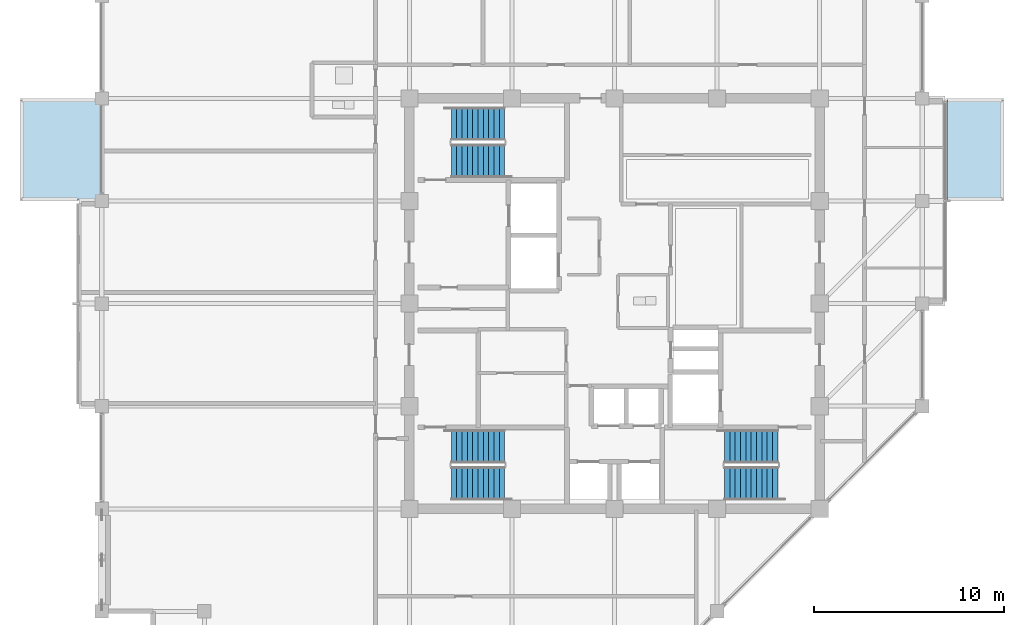
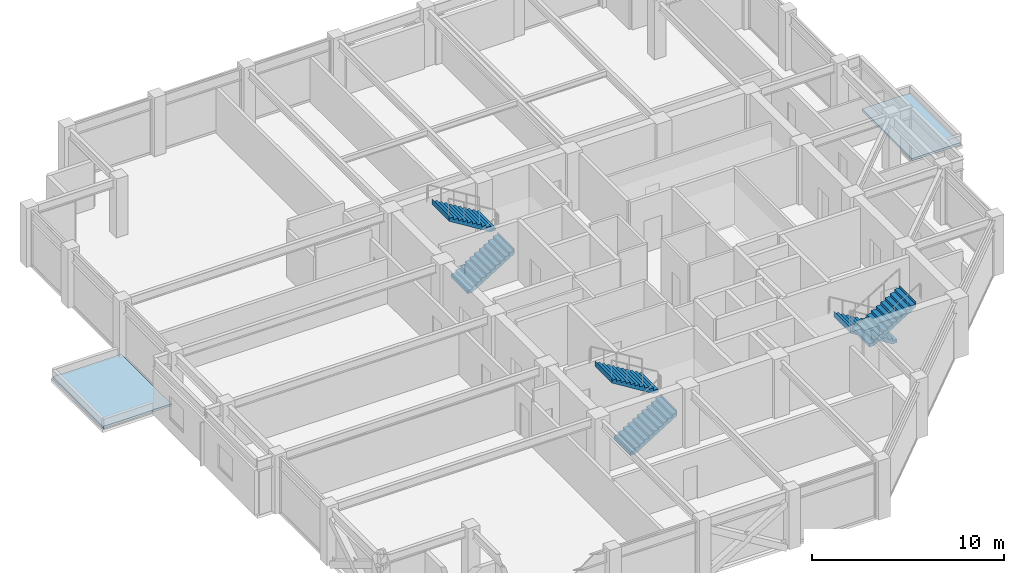
# One storey, part 28 of 31: 6 stair flights, 2 roofs, 3 elements without a shape of their own.
"""IFC4 building model written with IfcOpenShell, lengths in metres."""

from ifc_helpers import new_model, si_unit, direction, frame, origin, place, context, subcontext, project, spatial, polyline, outline, extrude, material, layer, layer_set, type_object, element, aggregate, save


model = new_model("IFC4")

# Units and contexts
model_context = context("Model", 3, precision=1e-05, world=origin(), true_north=direction((0.0, 1.0)))
body_context = subcontext(model_context, "Body", "Model", "MODEL_VIEW")
ifc_project = project(units=[si_unit("LENGTHUNIT", "METRE"), si_unit("AREAUNIT", "SQUARE_METRE"), si_unit("VOLUMEUNIT", "CUBIC_METRE"), si_unit("PLANEANGLEUNIT", "RADIAN"), si_unit("MASSUNIT", "GRAM", prefix="KILO")], contexts=[model_context])

# Site, building, storey
site_placement = place(None, origin())
site = spatial("IfcSite", under=ifc_project, at=site_placement, CompositionType="ELEMENT")
building_placement = place(site_placement, origin())
building = spatial("IfcBuilding", under=site, at=building_placement, Name="Surkhivell Harbour Commons", CompositionType="ELEMENT")
storey_placement = place(building_placement, frame((0.0, 0.0, 270.0)))
storey = spatial("IfcBuildingStorey", under=building, at=storey_placement, Name="L70", CompositionType="ELEMENT", Elevation=270.0)

# Stair, stair flights
ifc_material_1 = material(Name="Precast concrete C45/55", Category="concrete")
stair_type = type_object("IfcStairType", Name="STR-DL-375", PredefinedType="HALF_TURN_STAIR", material=ifc_material_1)
stair_1_placement = place(storey_placement, origin())
stair_1 = element("IfcStair", 1, at=stair_1_placement, inside=storey, type_object=stair_type, Name="L70 Core Exit Stair ST1", PredefinedType="HALF_TURN_STAIR")
stair_flight_type = type_object("IfcStairFlightType", Name="STF-DL-375", PredefinedType="STRAIGHT", material=ifc_material_1)
stair_flight_1_placement = place(storey_placement, frame((-8.590087890625, 7.514892578125, 0.0), z_axis=(0.0, 0.0, 1.0), x_axis=(1.0, 0.0, 0.0)))
stair_flight_1 = element("IfcStairFlight", 2, at=stair_flight_1_placement, type_object=stair_flight_type, Name="ST1 flight 1", NumberOfRisers=11, NumberOfTreads=10, PredefinedType="STRAIGHT", RiserHeight=0.170454545, TreadLength=0.28, context=body_context, shape_type="SweptSolid", body=[
    extrude(outline(polyline([(-0.0029296875, -0.034912109375), (-0.0029296875, 0.0), (0.0, 0.0), (0.0, 0.17041015625), (0.280029296875, 0.17041015625), (0.280029296875, 0.3408203125), (0.56005859375, 0.3408203125), (0.56005859375, 0.511474609375), (0.840087890625, 0.511474609375), (0.840087890625, 0.681884765625), (1.1201171875, 0.681884765625), (1.1201171875, 0.852294921875), (1.39990234375, 0.852294921875), (1.39990234375, 1.022705078125), (1.679931640625, 1.022705078125), (1.679931640625, 1.193115234375), (1.9599609375, 1.193115234375), (1.9599609375, 1.363525390625), (2.239990234375, 1.363525390625), (2.239990234375, 1.5341796875), (2.52001953125, 1.5341796875), (2.52001953125, 1.70458984375), (2.800048828125, 1.70458984375), (2.800048828125, 1.875), (2.802978515625, 1.875), (2.802978515625, 1.529052734375), (0.288330078125, -0.034912109375), (-0.0029296875, -0.034912109375)])), frame((0.0, 0.875, 0.0), z_axis=(0.0, -1.0, 0.0), x_axis=(1.0, 0.0, 0.0)), (0.0, 0.0, 1.0), 1.75),
])
stair_flight_2_placement = place(storey_placement, frame((-5.7900390625, 9.465087890625, 1.875), z_axis=(0.0, 0.0, 1.0), x_axis=(-1.0, 0.0, 0.0)))
stair_flight_2 = element("IfcStairFlight", 3, at=stair_flight_2_placement, type_object=stair_flight_type, Name="ST1 flight 2", NumberOfRisers=11, NumberOfTreads=10, PredefinedType="STRAIGHT", RiserHeight=0.170454545, TreadLength=0.28, context=body_context, shape_type="SweptSolid", body=[
    extrude(outline(polyline([(-0.0029296875, -0.034912109375), (-0.0029296875, 0.0), (0.0, 0.0), (0.0, 0.17041015625), (0.280029296875, 0.17041015625), (0.280029296875, 0.3408203125), (0.56005859375, 0.3408203125), (0.56005859375, 0.511474609375), (0.840087890625, 0.511474609375), (0.840087890625, 0.681884765625), (1.1201171875, 0.681884765625), (1.1201171875, 0.852294921875), (1.39990234375, 0.852294921875), (1.39990234375, 1.022705078125), (1.679931640625, 1.022705078125), (1.679931640625, 1.193115234375), (1.9599609375, 1.193115234375), (1.9599609375, 1.363525390625), (2.239990234375, 1.363525390625), (2.239990234375, 1.5341796875), (2.52001953125, 1.5341796875), (2.52001953125, 1.70458984375), (2.800048828125, 1.70458984375), (2.800048828125, 1.875), (2.802978515625, 1.875), (2.802978515625, 1.529052734375), (0.288330078125, -0.034912109375), (-0.0029296875, -0.034912109375)])), frame((0.0, 0.875, 0.0), z_axis=(0.0, -1.0, 0.0), x_axis=(1.0, 0.0, 0.0)), (0.0, 0.0, 1.0), 1.75),
])
aggregate(stair_1, [stair_flight_1, stair_flight_2])

stair_2_placement = place(storey_placement, origin())
stair_2 = element("IfcStair", 4, at=stair_2_placement, inside=storey, type_object=stair_type, Name="L70 Core Exit Stair ST2", PredefinedType="HALF_TURN_STAIR")
stair_flight_3_placement = place(storey_placement, frame((8.590087890625, -7.514892578125, 0.0), z_axis=(0.0, 0.0, 1.0), x_axis=(-1.0, 0.0, 0.0)))
stair_flight_3 = element("IfcStairFlight", 5, at=stair_flight_3_placement, type_object=stair_flight_type, Name="ST2 flight 1", NumberOfRisers=11, NumberOfTreads=10, PredefinedType="STRAIGHT", RiserHeight=0.170454545, TreadLength=0.28, context=body_context, shape_type="SweptSolid", body=[
    extrude(outline(polyline([(-0.0029296875, -0.034912109375), (-0.0029296875, 0.0), (0.0, 0.0), (0.0, 0.17041015625), (0.280029296875, 0.17041015625), (0.280029296875, 0.3408203125), (0.56005859375, 0.3408203125), (0.56005859375, 0.511474609375), (0.840087890625, 0.511474609375), (0.840087890625, 0.681884765625), (1.1201171875, 0.681884765625), (1.1201171875, 0.852294921875), (1.39990234375, 0.852294921875), (1.39990234375, 1.022705078125), (1.679931640625, 1.022705078125), (1.679931640625, 1.193115234375), (1.9599609375, 1.193115234375), (1.9599609375, 1.363525390625), (2.239990234375, 1.363525390625), (2.239990234375, 1.5341796875), (2.52001953125, 1.5341796875), (2.52001953125, 1.70458984375), (2.800048828125, 1.70458984375), (2.800048828125, 1.875), (2.802978515625, 1.875), (2.802978515625, 1.529052734375), (0.288330078125, -0.034912109375), (-0.0029296875, -0.034912109375)])), frame((0.0, 0.875, 0.0), z_axis=(0.0, -1.0, 0.0), x_axis=(1.0, 0.0, 0.0)), (0.0, 0.0, 1.0), 1.75),
])
stair_flight_4_placement = place(storey_placement, frame((5.7900390625, -9.465087890625, 1.875), z_axis=(0.0, 0.0, 1.0), x_axis=(1.0, 0.0, 0.0)))
stair_flight_4 = element("IfcStairFlight", 6, at=stair_flight_4_placement, type_object=stair_flight_type, Name="ST2 flight 2", NumberOfRisers=11, NumberOfTreads=10, PredefinedType="STRAIGHT", RiserHeight=0.170454545, TreadLength=0.28, context=body_context, shape_type="SweptSolid", body=[
    extrude(outline(polyline([(-0.0029296875, -0.034912109375), (-0.0029296875, 0.0), (0.0, 0.0), (0.0, 0.17041015625), (0.280029296875, 0.17041015625), (0.280029296875, 0.3408203125), (0.56005859375, 0.3408203125), (0.56005859375, 0.511474609375), (0.840087890625, 0.511474609375), (0.840087890625, 0.681884765625), (1.1201171875, 0.681884765625), (1.1201171875, 0.852294921875), (1.39990234375, 0.852294921875), (1.39990234375, 1.022705078125), (1.679931640625, 1.022705078125), (1.679931640625, 1.193115234375), (1.9599609375, 1.193115234375), (1.9599609375, 1.363525390625), (2.239990234375, 1.363525390625), (2.239990234375, 1.5341796875), (2.52001953125, 1.5341796875), (2.52001953125, 1.70458984375), (2.800048828125, 1.70458984375), (2.800048828125, 1.875), (2.802978515625, 1.875), (2.802978515625, 1.529052734375), (0.288330078125, -0.034912109375), (-0.0029296875, -0.034912109375)])), frame((0.0, 0.875, 0.0), z_axis=(0.0, -1.0, 0.0), x_axis=(1.0, 0.0, 0.0)), (0.0, 0.0, 1.0), 1.75),
])
aggregate(stair_2, [stair_flight_3, stair_flight_4])

stair_3_placement = place(storey_placement, origin())
stair_3 = element("IfcStair", 7, at=stair_3_placement, inside=storey, type_object=stair_type, Name="L70 Core Exit Stair ST3", PredefinedType="HALF_TURN_STAIR")
stair_flight_5_placement = place(storey_placement, frame((-8.590087890625, -9.465087890625, 0.0), z_axis=(0.0, 0.0, 1.0), x_axis=(1.0, 0.0, 0.0)))
stair_flight_5 = element("IfcStairFlight", 8, at=stair_flight_5_placement, type_object=stair_flight_type, Name="ST3 flight 1", NumberOfRisers=11, NumberOfTreads=10, PredefinedType="STRAIGHT", RiserHeight=0.170454545, TreadLength=0.28, context=body_context, shape_type="SweptSolid", body=[
    extrude(outline(polyline([(-0.0029296875, -0.034912109375), (-0.0029296875, 0.0), (0.0, 0.0), (0.0, 0.17041015625), (0.280029296875, 0.17041015625), (0.280029296875, 0.3408203125), (0.56005859375, 0.3408203125), (0.56005859375, 0.511474609375), (0.840087890625, 0.511474609375), (0.840087890625, 0.681884765625), (1.1201171875, 0.681884765625), (1.1201171875, 0.852294921875), (1.39990234375, 0.852294921875), (1.39990234375, 1.022705078125), (1.679931640625, 1.022705078125), (1.679931640625, 1.193115234375), (1.9599609375, 1.193115234375), (1.9599609375, 1.363525390625), (2.239990234375, 1.363525390625), (2.239990234375, 1.5341796875), (2.52001953125, 1.5341796875), (2.52001953125, 1.70458984375), (2.800048828125, 1.70458984375), (2.800048828125, 1.875), (2.802978515625, 1.875), (2.802978515625, 1.529052734375), (0.288330078125, -0.034912109375), (-0.0029296875, -0.034912109375)])), frame((0.0, 0.875, 0.0), z_axis=(0.0, -1.0, 0.0), x_axis=(1.0, 0.0, 0.0)), (0.0, 0.0, 1.0), 1.75),
])
stair_flight_6_placement = place(storey_placement, frame((-5.7900390625, -7.514892578125, 1.875), z_axis=(0.0, 0.0, 1.0), x_axis=(-1.0, 0.0, 0.0)))
stair_flight_6 = element("IfcStairFlight", 9, at=stair_flight_6_placement, type_object=stair_flight_type, Name="ST3 flight 2", NumberOfRisers=11, NumberOfTreads=10, PredefinedType="STRAIGHT", RiserHeight=0.170454545, TreadLength=0.28, context=body_context, shape_type="SweptSolid", body=[
    extrude(outline(polyline([(-0.0029296875, -0.034912109375), (-0.0029296875, 0.0), (0.0, 0.0), (0.0, 0.17041015625), (0.280029296875, 0.17041015625), (0.280029296875, 0.3408203125), (0.56005859375, 0.3408203125), (0.56005859375, 0.511474609375), (0.840087890625, 0.511474609375), (0.840087890625, 0.681884765625), (1.1201171875, 0.681884765625), (1.1201171875, 0.852294921875), (1.39990234375, 0.852294921875), (1.39990234375, 1.022705078125), (1.679931640625, 1.022705078125), (1.679931640625, 1.193115234375), (1.9599609375, 1.193115234375), (1.9599609375, 1.363525390625), (2.239990234375, 1.363525390625), (2.239990234375, 1.5341796875), (2.52001953125, 1.5341796875), (2.52001953125, 1.70458984375), (2.800048828125, 1.70458984375), (2.800048828125, 1.875), (2.802978515625, 1.875), (2.802978515625, 1.529052734375), (0.288330078125, -0.034912109375), (-0.0029296875, -0.034912109375)])), frame((0.0, 0.875, 0.0), z_axis=(0.0, -1.0, 0.0), x_axis=(1.0, 0.0, 0.0)), (0.0, 0.0, 1.0), 1.75),
])
aggregate(stair_3, [stair_flight_5, stair_flight_6])

# Roofs
ifc_material_2 = material(Name="Vermilion-coral and saffron enamelled aluminium box roof cap", Category="aluminium")
ifc_layer = layer(ifc_material_2, 0.139892578125)
ifc_layer_set = layer_set([ifc_layer], Name="Vermilion-coral and saffron enamelled aluminium box roof cap")
roof_type = type_object("IfcRoofType", Name="ROF-BOX-CAP", PredefinedType="FLAT_ROOF", material=ifc_layer_set)
roof_1_placement = place(storey_placement, origin())
element("IfcRoof", 10, at=roof_1_placement, inside=storey, type_object=roof_type, Name="L70 Closed Coloured Box Roof Cap 1-1", PredefinedType="FLAT_ROOF", context=body_context, shape_type="SweptSolid", body=[
    extrude(outline(polyline([(17.5, 10.719970703125), (17.5, 5.47998046875), (20.419921875, 5.47998046875), (20.419921875, 10.719970703125), (17.5, 10.719970703125)])), origin(), (0.0, 0.0, 1.0), 0.139892578125),
])
roof_2_placement = place(storey_placement, origin())
element("IfcRoof", 11, at=roof_2_placement, inside=storey, type_object=roof_type, Name="L70 Closed Coloured Box Roof Cap 2-1", PredefinedType="FLAT_ROOF", context=body_context, shape_type="SweptSolid", body=[
    extrude(outline(polyline([(-28.260009765625, 5.47998046875), (-28.255615234375, 5.483154296875), (-28.247314453125, 5.48828125), (-28.23828125, 5.492431640625), (-28.22900390625, 5.495849609375), (-28.219482421875, 5.498291015625), (-28.209716796875, 5.49951171875), (-28.201904296875, 5.5), (-27.10009765625, 5.5), (-27.10009765625, 10.719970703125), (-31.219970703125, 10.719970703125), (-31.219970703125, 5.47998046875), (-28.260009765625, 5.47998046875)])), origin(), (0.0, 0.0, 1.0), 0.139892578125),
])

save(model, "model.ifc")
